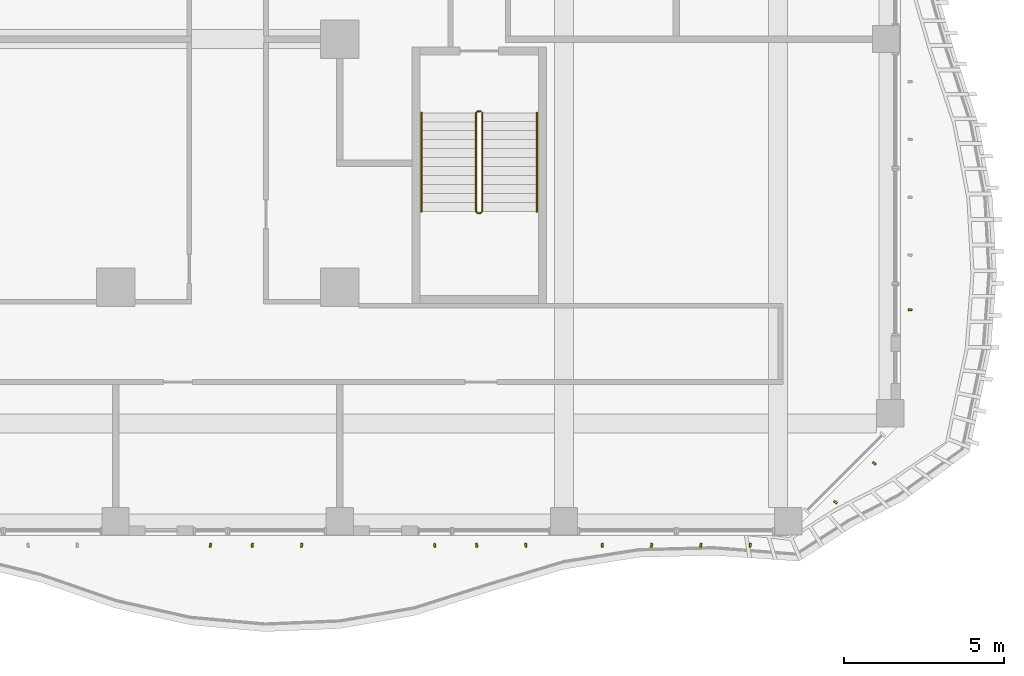
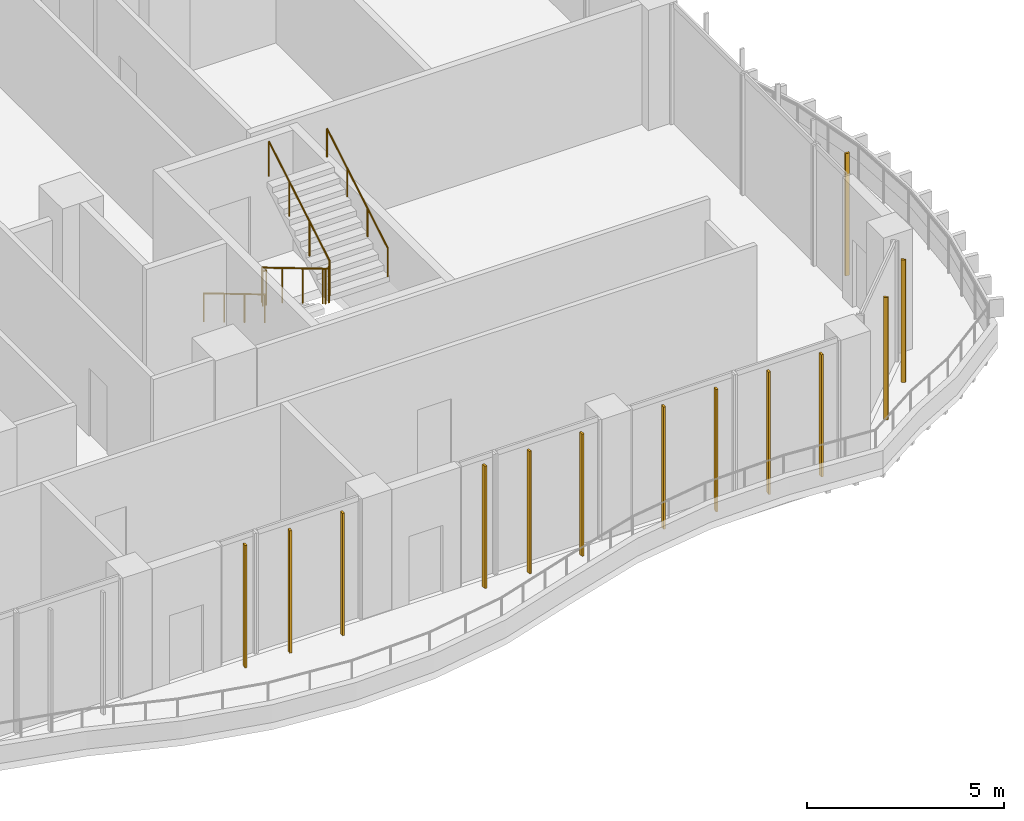
# One storey, part 21 of 26: 13 shading devices, 3 railings.
"""IFC4 building model written with IfcOpenShell, lengths in metres."""

from ifc_helpers import new_model, si_unit, direction, frame, origin, origin_2d, place, context, subcontext, project, spatial, rectangle, circle, extrude, source, transform, mapped, material, material_profile, profile_set, type_object, element, save


model = new_model("IFC4")

# Units and contexts
model_context = context("Model", 3, precision=1e-05, world=origin(), true_north=direction((0.0, 1.0)))
body_context = subcontext(model_context, "Body", "Model", "MODEL_VIEW")
ifc_project = project(units=[si_unit("LENGTHUNIT", "METRE"), si_unit("AREAUNIT", "SQUARE_METRE"), si_unit("VOLUMEUNIT", "CUBIC_METRE"), si_unit("PLANEANGLEUNIT", "RADIAN"), si_unit("MASSUNIT", "GRAM", prefix="KILO")], contexts=[model_context])

# Site, building, storey
site_placement = place(None, origin())
site = spatial("IfcSite", under=ifc_project, at=site_placement, CompositionType="ELEMENT")
building_placement = place(site_placement, origin())
building = spatial("IfcBuilding", under=site, at=building_placement, Name="Kilnfold Tower and Market Hall", CompositionType="ELEMENT")
storey_placement = place(building_placement, frame((0.0, 0.0, 104.60009765625)))
storey = spatial("IfcBuildingStorey", under=building, at=storey_placement, Name="L24", CompositionType="ELEMENT", Elevation=104.60009765625)

# Railings
ifc_material_1 = material(Name="Stainless steel 316", Category="steel")
railing_type_1 = type_object("IfcRailingType", Name="CORE STAIR GUARD 1100", PredefinedType="GUARDRAIL", material=ifc_material_1)
railing_1_placement = place(storey_placement, frame((19.89990234375, -9.75, 0.0)))
element("IfcRailing", 1, at=railing_1_placement, inside=storey, type_object=railing_type_1, Name="L24 ST4 stair guard 1", PredefinedType="GUARDRAIL", context=body_context, shape_type="SweptSolid", body=[
    extrude(circle(Radius=0.02392578125, at=origin_2d()), frame((0.0, 0.0, 1.076171875), z_axis=(-1.0, 0.0, 0.0), x_axis=(0.0, -1.0, 0.0)), (0.0, 0.0, 1.0), 0.099853515625),
    extrude(circle(Radius=0.02392578125, at=origin_2d()), frame((-0.099853515625, 0.0, 1.076171875), z_axis=(-0.27662974545, -0.27662974545, 0.920299933644), x_axis=(0.707106781187, -0.707106781187, 0.0)), (0.0, 0.0, 1.0), 0.180908203125),
    extrude(circle(Radius=0.02392578125, at=origin_2d()), frame((-0.14990234375, -0.050048828125, 1.24267578125), z_axis=(0.0, -0.859260807169, 0.511537745687), x_axis=(1.0, 0.0, 0.0)), (0.0, 0.0, 1.0), 3.584228515625),
    extrude(circle(Radius=0.02392578125, at=origin_2d()), frame((-0.14990234375, -3.1298828125, 3.076171875), z_axis=(0.707106781187, -0.707106781187, 0.0), x_axis=(0.707106781187, 0.707106781187, 0.0)), (0.0, 0.0, 1.0), 0.07080078125),
    extrude(circle(Radius=0.02392578125, at=origin_2d()), frame((-0.099853515625, -3.179931640625, 3.076171875), z_axis=(1.0, 0.0, 0.0), x_axis=(0.0, 1.0, 0.0)), (0.0, 0.0, 1.0), 0.099853515625),
    extrude(circle(Radius=0.02392578125, at=origin_2d()), frame((0.0, -3.179931640625, 3.076171875), z_axis=(0.27662974545, 0.27662974545, 0.920299933644), x_axis=(-0.707106781187, 0.707106781187, 0.0)), (0.0, 0.0, 1.0), 0.180908203125),
    extrude(circle(Radius=0.02392578125, at=origin_2d()), frame((0.050048828125, -3.1298828125, 3.24267578125), z_axis=(0.0, 0.859260807169, 0.511537745687), x_axis=(-1.0, 0.0, 0.0)), (0.0, 0.0, 1.0), 3.584228515625),
    extrude(circle(Radius=0.02099609375, at=origin_2d()), origin(), (0.0, 0.0, 1.0), 1.052001953125),
    extrude(circle(Radius=0.02099609375, at=origin_2d()), frame((-0.099853515625, 0.0, 0.0)), (0.0, 0.0, 1.0), 1.052001953125),
    extrude(circle(Radius=0.02099609375, at=origin_2d()), frame((-0.14990234375, -0.050048828125, 0.16650390625)), (0.0, 0.0, 1.0), 1.052001953125),
    extrude(circle(Radius=0.02099609375, at=origin_2d()), frame((-0.14990234375, -1.07666015625, 0.777587890625)), (0.0, 0.0, 1.0), 1.052001953125),
    extrude(circle(Radius=0.02099609375, at=origin_2d()), frame((-0.14990234375, -2.103271484375, 1.388916015625)), (0.0, 0.0, 1.0), 1.052001953125),
    extrude(circle(Radius=0.02099609375, at=origin_2d()), frame((-0.14990234375, -3.1298828125, 2.0)), (0.0, 0.0, 1.0), 1.052001953125),
    extrude(circle(Radius=0.02099609375, at=origin_2d()), frame((-0.099853515625, -3.179931640625, 2.0)), (0.0, 0.0, 1.0), 1.052001953125),
    extrude(circle(Radius=0.02099609375, at=origin_2d()), frame((0.0, -3.179931640625, 2.0)), (0.0, 0.0, 1.0), 1.052001953125),
    extrude(circle(Radius=0.02099609375, at=origin_2d()), frame((0.050048828125, -3.1298828125, 2.16650390625)), (0.0, 0.0, 1.0), 1.052001953125),
    extrude(circle(Radius=0.02099609375, at=origin_2d()), frame((0.050048828125, -2.103271484375, 2.777587890625)), (0.0, 0.0, 1.0), 1.052001953125),
    extrude(circle(Radius=0.02099609375, at=origin_2d()), frame((0.050048828125, -1.07666015625, 3.388916015625)), (0.0, 0.0, 1.0), 1.052001953125),
    extrude(circle(Radius=0.02099609375, at=origin_2d()), frame((0.050048828125, -0.050048828125, 4.0)), (0.0, 0.0, 1.0), 1.052001953125),
])
ifc_material_2 = material(Name="Stainless steel 316", Category="steel")
railing_type_2 = type_object("IfcRailingType", Name="CORE STAIR HANDRAIL 900", PredefinedType="HANDRAIL", material=ifc_material_2)
railing_2_placement = place(storey_placement, frame((18.050048828125, -9.800048828125, 0.16650390625)))
element("IfcRailing", 2, at=railing_2_placement, inside=storey, type_object=railing_type_2, Name="L24 ST4 stair handrail 1", PredefinedType="HANDRAIL", context=body_context, shape_type="SweptSolid", body=[
    extrude(circle(Radius=0.02392578125, at=origin_2d()), frame((0.0, 0.0, 0.8759765625), z_axis=(0.0, -0.859260807169, 0.511537745687), x_axis=(1.0, 0.0, 0.0)), (0.0, 0.0, 1.0), 3.584228515625),
    extrude(circle(Radius=0.02099609375, at=origin_2d()), origin(), (0.0, 0.0, 1.0), 0.851806640625),
    extrude(circle(Radius=0.02099609375, at=origin_2d()), frame((0.0, -1.026611328125, 0.611083984375)), (0.0, 0.0, 1.0), 0.851806640625),
    extrude(circle(Radius=0.02099609375, at=origin_2d()), frame((0.0, -2.05322265625, 1.222412109375)), (0.0, 0.0, 1.0), 0.851806640625),
    extrude(circle(Radius=0.02099609375, at=origin_2d()), frame((0.0, -3.079833984375, 1.83349609375)), (0.0, 0.0, 1.0), 0.851806640625),
])
railing_3_placement = place(storey_placement, frame((21.64990234375, -12.8798828125, 2.16650390625)))
element("IfcRailing", 3, at=railing_3_placement, inside=storey, type_object=railing_type_2, Name="L24 ST4 stair handrail 2", PredefinedType="HANDRAIL", context=body_context, shape_type="SweptSolid", body=[
    extrude(circle(Radius=0.02392578125, at=origin_2d()), frame((0.0, 0.0, 0.8759765625), z_axis=(0.0, 0.859260807169, 0.511537745687), x_axis=(-1.0, 0.0, 0.0)), (0.0, 0.0, 1.0), 3.584228515625),
    extrude(circle(Radius=0.02099609375, at=origin_2d()), origin(), (0.0, 0.0, 1.0), 0.851806640625),
    extrude(circle(Radius=0.02099609375, at=origin_2d()), frame((0.0, 1.026611328125, 0.611083984375)), (0.0, 0.0, 1.0), 0.851806640625),
    extrude(circle(Radius=0.02099609375, at=origin_2d()), frame((0.0, 2.05322265625, 1.222412109375)), (0.0, 0.0, 1.0), 0.851806640625),
    extrude(circle(Radius=0.02099609375, at=origin_2d()), frame((0.0, 3.079833984375, 1.83349609375)), (0.0, 0.0, 1.0), 0.851806640625),
])

# Shading devices
ifc_material_3 = material(Name="Terracotta", Category="masonry")
ifc_material_profile = material_profile(ifc_material_3, rectangle(XDim=0.06005859375, YDim=0.1201171875, at=origin_2d()), Name="BAG 60x120")
ifc_profile_set = profile_set([ifc_material_profile], Name="Terracotta")
shading_device_type = type_object("IfcShadingDeviceType", Name="BAGUETTE", PredefinedType="USERDEFINED", material=ifc_profile_set)
shared_shape = source(origin(), body_context, "Body", "SweptSolid", [
    extrude(rectangle(XDim=0.06005859375, YDim=0.1201171875, at=origin_2d()), origin(), (0.0, 0.0, 1.0), 3.77978515625),
])
for number, where, z_axis, x_axis, name in (
    (4, (11.46240234375, -23.300048828125, 0.0), (0.0, 0.0, 1.0), (0.990880719031, -0.134741978063, 0.0), "Terracotta baguette L24 S"),
    (5, (12.768798828125, -23.300048828125, 0.0), (0.0, 0.0, 1.0), (0.991303038003, -0.131598962176, 0.0), "Terracotta baguette L24 S"),
    (6, (14.306396484375, -23.300048828125, 0.0), (0.0, 0.0, 1.0), (0.997352687943, -0.072715994473, 0.0), "Terracotta baguette L24 S"),
    (7, (18.46240234375, -23.300048828125, 0.0), (0.0, 0.0, 1.0), (0.990880719031, 0.134741978063, 0.0), "Terracotta baguette L24 S"),
    (8, (19.768798828125, -23.300048828125, 0.0), (0.0, 0.0, 1.0), (0.991303038003, 0.131598962176, 0.0), "Terracotta baguette L24 S"),
    (9, (21.306396484375, -23.300048828125, 0.0), (0.0, 0.0, 1.0), (0.997352687943, 0.072715994473, 0.0), "Terracotta baguette L24 S"),
    (10, (23.693603515625, -23.300048828125, 0.0), (0.0, 0.0, 1.0), (0.997567579674, -0.069705982401, 0.0), "Terracotta baguette L24 S"),
    (11, (25.231201171875, -23.300048828125, 0.0), (0.0, 0.0, 1.0), (0.991458524608, -0.130422367641, 0.0), "Terracotta baguette L24 S"),
    (12, (26.768798828125, -23.300048828125, 0.0), (0.0, 0.0, 1.0), (0.991303038003, -0.131598962176, 0.0), "Terracotta baguette L24 S"),
    (13, (28.306396484375, -23.300048828125, 0.0), (0.0, 0.0, 1.0), (0.997352687943, -0.072715994473, 0.0), "Terracotta baguette L24 S"),
    (14, (30.968505859375, -21.955810546875, 0.0), (0.0, 0.0, 1.0), (0.634012744853, 0.773322597216, 0.0), "Terracotta baguette L24 SE"),
    (15, (32.180908203125, -20.743408203125, 0.0), (0.0, 0.0, 1.0), (0.601830355742, 0.798623955881, 0.0), "Terracotta baguette L24 SE"),
    (16, (33.300048828125, -15.951416015625, 0.0), (0.0, 0.0, 1.0), (0.085486480953, 0.996339330537, 0.0), "Terracotta baguette L24 E"),
):
    element("IfcShadingDevice", number, at=place(storey_placement, frame(where, z_axis=z_axis, x_axis=x_axis)), inside=storey, type_object=shading_device_type, Name=name, ObjectType="BAGUETTE", PredefinedType="USERDEFINED", context=body_context, shape_type="MappedRepresentation", body=[
        mapped(shared_shape, transform((0.0, 0.0, 0.0))),
    ])

save(model, "model.ifc")
